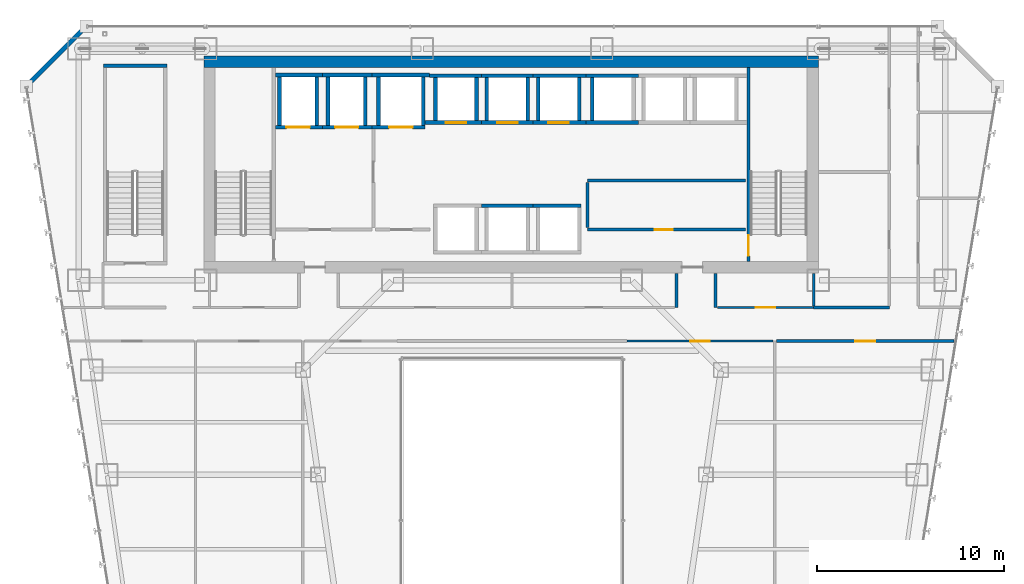
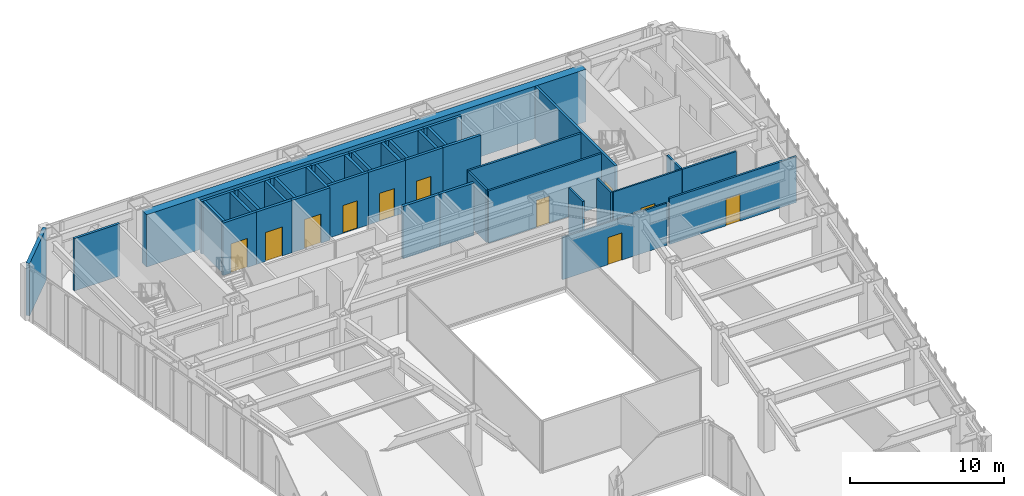
# One storey, part 37 of 47: 43 walls, 11 doors, 11 openings.
"""IFC4 building model written with IfcOpenShell, lengths in metres."""

from ifc_helpers import new_model, si_unit, direction, frame, frame_2d, origin, place, context, subcontext, project, spatial, rectangle, extrude, material, layer, layer_set, type_object, element, fill, save


model = new_model("IFC4")

# Units and contexts
model_context = context("Model", 3, precision=1e-05, world=origin(), true_north=direction((0.0, 1.0)))
body_context = subcontext(model_context, "Body", "Model", "MODEL_VIEW")
ifc_project = project(units=[si_unit("LENGTHUNIT", "METRE"), si_unit("AREAUNIT", "SQUARE_METRE"), si_unit("VOLUMEUNIT", "CUBIC_METRE"), si_unit("PLANEANGLEUNIT", "RADIAN"), si_unit("MASSUNIT", "GRAM", prefix="KILO")], contexts=[model_context])

# Site, building, storey
site_placement = place(None, origin())
site = spatial("IfcSite", under=ifc_project, at=site_placement, CompositionType="ELEMENT")
building_placement = place(site_placement, origin())
building = spatial("IfcBuilding", under=site, at=building_placement, Name="Saevonmaru Cultural Tower", CompositionType="ELEMENT")
storey_placement = place(building_placement, frame((0.0, 0.0, 42.800048828125)))
storey = spatial("IfcBuildingStorey", under=building, at=storey_placement, Name="L08", CompositionType="ELEMENT", Elevation=42.800048828125)

# Wall
ifc_material_1 = material(Name="Concrete C60/75", Category="concrete")
ifc_layer_1 = layer(ifc_material_1, 0.60009765625, Name="Concrete C60/75")
ifc_layer_set_1 = layer_set([ifc_layer_1], Name="Concrete C60/75")
wall_type_1 = type_object("IfcWallType", Name="WL-CORE-600", PredefinedType="SHEAR", material=ifc_layer_set_1)
wall_1_placement = place(storey_placement, frame((13.5, 54.10009765625, 0.0), z_axis=(0.0, 0.0, 1.0), x_axis=(1.0, 0.0, 0.0)))
element("IfcWall", 1, at=wall_1_placement, inside=storey, type_object=wall_type_1, Name="L08 Tower RC core shear wall N", PredefinedType="SHEAR", context=body_context, shape_type="SweptSolid", body=[
    extrude(rectangle(XDim=32.89990234375, YDim=0.60009765625, at=frame_2d((16.449951171875, 0.0))), origin(), (0.0, 0.0, 1.0), 4.14990234375),
])

# Wall, opening, door
ifc_material_2 = material(Name="Gypsum Fireboard Partition", Category="gypsum")
ifc_layer_2 = layer(ifc_material_2, 0.14990234375, Name="Gypsum Fireboard Partition")
ifc_layer_set_2 = layer_set([ifc_layer_2], Name="Gypsum Fireboard Partition")
wall_type_2 = type_object("IfcWallType", Name="WL-CORE-PART-150", PredefinedType="PARTITIONING", material=ifc_layer_set_2)
wall_2_placement = place(storey_placement, frame((34.050048828125, 45.1201171875, 0.0), z_axis=(0.0, 0.0, 1.0), x_axis=(1.0, 0.0, 0.0)))
wall_2 = element("IfcWall", 2, at=wall_2_placement, inside=storey, type_object=wall_type_2, Name="L08 Core Service South Wall", PredefinedType="PARTITIONING", context=body_context, shape_type="SweptSolid", body=[
    extrude(rectangle(XDim=8.449951171875, YDim=0.14990234375, at=frame_2d((4.22509765625, 0.0))), origin(), (0.0, 0.0, 1.0), 4.14990234375),
])
opening_1_placement = place(wall_2_placement, frame((3.60009765625, 0.0, 0.0)))
opening_1 = element("IfcOpeningElement", 3, at=opening_1_placement, cuts=wall_2, Name="Opening FD-4", PredefinedType="OPENING", context=body_context, shape_type="SweptSolid", body=[
    extrude(rectangle(XDim=0.949951171875, YDim=2.14990234375, at=frame_2d((0.47509765625, 1.074951171875))), frame((0.0, 0.0849609375, 0.0), z_axis=(0.0, -1.0, 0.0), x_axis=(1.0, 0.0, 0.0)), (0.0, 0.0, 1.0), 0.169921875),
])
ifc_material_3 = material(Name="Satin Bronze Anodised Aluminium", Category="aluminium")
door_type_1 = type_object("IfcDoorType", Name="DR-FD60-950", OperationType="SINGLE_SWING_LEFT", PredefinedType="DOOR", material=ifc_material_3)
door_1_placement = place(opening_1_placement, origin())
door_1 = element("IfcDoor", 4, at=door_1_placement, inside=storey, type_object=door_type_1, Name="L08 Telecom Riser Plant Door", OperationType="SINGLE_SWING_LEFT", OverallHeight=2.14990234375, OverallWidth=0.949951171875, PredefinedType="DOOR", context=body_context, shape_type="SweptSolid", body=[
    extrude(rectangle(XDim=0.949951171875, YDim=2.14990234375, at=frame_2d((0.47509765625, 1.074951171875))), frame((0.0, 0.02490234375, 0.0), z_axis=(0.0, -1.0, 0.0), x_axis=(1.0, 0.0, 0.0)), (0.0, 0.0, 1.0), 0.050048828125),
])
fill(opening_1, door_1)

# Walls
wall_3_placement = place(storey_placement, frame((34.050048828125, 47.75, 0.0), z_axis=(0.0, 0.0, 1.0), x_axis=(1.0, 0.0, 0.0)))
element("IfcWall", 5, at=wall_3_placement, inside=storey, type_object=wall_type_2, Name="L08 Core Service North Wall", PredefinedType="PARTITIONING", context=body_context, shape_type="SweptSolid", body=[
    extrude(rectangle(XDim=8.449951171875, YDim=0.14990234375, at=frame_2d((4.22509765625, 0.0))), origin(), (0.0, 0.0, 1.0), 4.14990234375),
])
wall_4_placement = place(storey_placement, frame((34.050048828125, 45.219970703125, 0.0), z_axis=(0.0, 0.0, 1.0), x_axis=(0.0, 1.0, 0.0)))
element("IfcWall", 6, at=wall_4_placement, inside=storey, type_object=wall_type_2, Name="L08 Core Service West Wall", PredefinedType="PARTITIONING", context=body_context, shape_type="SweptSolid", body=[
    extrude(rectangle(XDim=2.429931640625, YDim=0.14990234375, at=frame_2d((1.21484375, 0.0))), origin(), (0.0, 0.0, 1.0), 4.14990234375),
])
ifc_material_4 = material(Name="Granite-Clad Precast Concrete C40/50", Category="masonry")
ifc_layer_3 = layer(ifc_material_4, 0.260009765625, Name="Granite-Clad Precast Concrete C40/50")
ifc_layer_set_3 = layer_set([ifc_layer_3], Name="Granite-Clad Precast Concrete C40/50")
wall_type_3 = type_object("IfcWallType", Name="WL-EXT-SPANDREL-260", PredefinedType="STANDARD", material=ifc_layer_set_3)
wall_5_placement = place(storey_placement, frame((7.0869140625, 55.886962890625, 0.0), z_axis=(0.0, 0.0, 1.0), x_axis=(-0.707106781187, -0.707106781187, 0.0)))
element("IfcWall", 7, at=wall_5_placement, inside=storey, type_object=wall_type_3, Name="L08 Chamfer Corner Spandrel Wall E11", PredefinedType="STANDARD", context=body_context, shape_type="SweptSolid", body=[
    extrude(rectangle(XDim=4.205810546875, YDim=0.260009765625, at=frame_2d((2.10302734375, 0.0))), origin(), (0.0, 0.0, 1.0), 4.14990234375),
])
ifc_layer_4 = layer(ifc_material_2, 0.14990234375, Name="Gypsum Fireboard Partition")
ifc_layer_set_4 = layer_set([ifc_layer_4], Name="Gypsum Fireboard Partition")
wall_type_4 = type_object("IfcWallType", Name="WL-PART-FIRE-150", PredefinedType="PARTITIONING", material=ifc_layer_set_4)
for number, where, z_axis, x_axis, name in (
    (8, (38.800048828125, 40.949951171875, 0.0), (0.0, 0.0, 1.0), (0.0, 1.0, 0.0), "L08 Core Portal Side Wall E1"),
    (9, (40.89990234375, 40.949951171875, 0.0), (0.0, 0.0, 1.0), (0.0, 1.0, 0.0), "L08 Core Portal Side Wall E2"),
):
    element("IfcWall", number, at=place(storey_placement, frame(where, z_axis=z_axis, x_axis=x_axis)), inside=storey, type_object=wall_type_4, Name=name, PredefinedType="PARTITIONING", context=body_context, shape_type="SweptSolid", body=[
        extrude(rectangle(XDim=1.830078125, YDim=0.14990234375, at=frame_2d((0.9150390625, 0.0))), origin(), (0.0, 0.0, 1.0), 4.14990234375),
    ])

# Wall, opening, door
wall_6_placement = place(storey_placement, frame((44.157470703125, 39.14990234375, 0.0), z_axis=(0.0, 0.0, 1.0), x_axis=(1.0, 0.0, 0.0)))
wall_6 = element("IfcWall", 10, at=wall_6_placement, inside=storey, type_object=wall_type_4, Name="L08 Special Collections Gallery Corridor Wall", PredefinedType="PARTITIONING", context=body_context, shape_type="SweptSolid", body=[
    extrude(rectangle(XDim=9.508544921875, YDim=0.14990234375, at=frame_2d((4.75439453125, 0.0))), origin(), (0.0, 0.0, 1.0), 3.635009765625),
])
opening_2_placement = place(wall_6_placement, frame((4.22900390625, 0.0, 0.0)))
opening_2 = element("IfcOpeningElement", 11, at=opening_2_placement, cuts=wall_6, Name="Opening ID-1", PredefinedType="OPENING", context=body_context, shape_type="SweptSolid", body=[
    extrude(rectangle(XDim=1.050048828125, YDim=2.14990234375, at=frame_2d((0.52490234375, 1.074951171875))), frame((0.0, 0.0849609375, 0.0), z_axis=(0.0, -1.0, 0.0), x_axis=(1.0, 0.0, 0.0)), (0.0, 0.0, 1.0), 0.169921875),
])
door_type_2 = type_object("IfcDoorType", Name="DR-INT-1050", OperationType="SINGLE_SWING_LEFT", PredefinedType="DOOR", material=ifc_material_3)
door_2_placement = place(opening_2_placement, origin())
door_2 = element("IfcDoor", 12, at=door_2_placement, inside=storey, type_object=door_type_2, Name="L08 Special Collections Gallery Door", OperationType="SINGLE_SWING_LEFT", OverallHeight=2.14990234375, OverallWidth=1.050048828125, PredefinedType="DOOR", context=body_context, shape_type="SweptSolid", body=[
    extrude(rectangle(XDim=1.050048828125, YDim=2.14990234375, at=frame_2d((0.52490234375, 1.074951171875))), frame((0.0, 0.02490234375, 0.0), z_axis=(0.0, -1.0, 0.0), x_axis=(1.0, 0.0, 0.0)), (0.0, 0.0, 1.0), 0.050048828125),
])
fill(opening_2, door_2)

ifc_layer_5 = layer(ifc_material_2, 0.1201171875, Name="Gypsum Fireboard Partition")
ifc_layer_set_5 = layer_set([ifc_layer_5], Name="Gypsum Fireboard Partition")
wall_type_5 = type_object("IfcWallType", Name="WL-PART-GYP-120", PredefinedType="PARTITIONING", material=ifc_layer_set_5)
wall_7_placement = place(storey_placement, frame((40.9951171875, 40.949951171875, 0.0), z_axis=(0.0, 0.0, 1.0), x_axis=(1.0, 0.0, 0.0)))
wall_7 = element("IfcWall", 13, at=wall_7_placement, inside=storey, type_object=wall_type_5, Name="L08 Periodical Reading Room Corridor Wall", PredefinedType="PARTITIONING", context=body_context, shape_type="SweptSolid", body=[
    extrude(rectangle(XDim=5.15478515625, YDim=0.1201171875, at=frame_2d((2.577392578125, 0.0))), origin(), (0.0, 0.0, 1.0), 4.14990234375),
])
opening_3_placement = place(wall_7_placement, frame((2.052978515625, 0.0, 0.0)))
opening_3 = element("IfcOpeningElement", 14, at=opening_3_placement, cuts=wall_7, Name="Opening ID-1", PredefinedType="OPENING", context=body_context, shape_type="SweptSolid", body=[
    extrude(rectangle(XDim=1.050048828125, YDim=2.14990234375, at=frame_2d((0.52490234375, 1.074951171875))), frame((0.0, 0.070068359375, 0.0), z_axis=(0.0, -1.0, 0.0), x_axis=(1.0, 0.0, 0.0)), (0.0, 0.0, 1.0), 0.14013671875),
])
door_3_placement = place(opening_3_placement, origin())
door_3 = element("IfcDoor", 15, at=door_3_placement, inside=storey, type_object=door_type_2, Name="L08 Periodical Reading Room Door", OperationType="SINGLE_SWING_RIGHT", OverallHeight=2.14990234375, OverallWidth=1.050048828125, PredefinedType="DOOR", context=body_context, shape_type="SweptSolid", body=[
    extrude(rectangle(XDim=1.050048828125, YDim=2.14990234375, at=frame_2d((0.52490234375, 1.074951171875))), frame((0.0, 0.02490234375, 0.0), z_axis=(0.0, -1.0, 0.0), x_axis=(1.0, 0.0, 0.0)), (0.0, 0.0, 1.0), 0.050048828125),
])
fill(opening_3, door_3)

wall_8_placement = place(storey_placement, frame((36.14990234375, 39.14990234375, 0.0), z_axis=(0.0, 0.0, 1.0), x_axis=(1.0, 0.0, 0.0)))
wall_8 = element("IfcWall", 16, at=wall_8_placement, inside=storey, type_object=wall_type_5, Name="L08 Periodical Reading Room Corridor Wall", PredefinedType="PARTITIONING", context=body_context, shape_type="SweptSolid", body=[
    extrude(rectangle(XDim=7.83251953125, YDim=0.1201171875, at=frame_2d((3.916259765625, 0.0))), origin(), (0.0, 0.0, 1.0), 3.3349609375),
])
opening_4_placement = place(wall_8_placement, frame((3.39111328125, 0.0, 0.0)))
opening_4 = element("IfcOpeningElement", 17, at=opening_4_placement, cuts=wall_8, Name="Opening ID-1", PredefinedType="OPENING", context=body_context, shape_type="SweptSolid", body=[
    extrude(rectangle(XDim=1.050048828125, YDim=2.14990234375, at=frame_2d((0.52490234375, 1.074951171875))), frame((0.0, 0.070068359375, 0.0), z_axis=(0.0, -1.0, 0.0), x_axis=(1.0, 0.0, 0.0)), (0.0, 0.0, 1.0), 0.14013671875),
])
door_4_placement = place(opening_4_placement, origin())
door_4 = element("IfcDoor", 18, at=door_4_placement, inside=storey, type_object=door_type_2, Name="L08 Periodical Reading Room Door", OperationType="SINGLE_SWING_RIGHT", OverallHeight=2.14990234375, OverallWidth=1.050048828125, PredefinedType="DOOR", context=body_context, shape_type="SweptSolid", body=[
    extrude(rectangle(XDim=1.050048828125, YDim=2.14990234375, at=frame_2d((0.52490234375, 1.074951171875))), frame((0.0, 0.02490234375, 0.0), z_axis=(0.0, -1.0, 0.0), x_axis=(1.0, 0.0, 0.0)), (0.0, 0.0, 1.0), 0.050048828125),
])
fill(opening_4, door_4)

# Walls
ifc_layer_6 = layer(ifc_material_2, 0.139892578125, Name="Gypsum Fireboard Partition")
ifc_layer_set_6 = layer_set([ifc_layer_6], Name="Gypsum Fireboard Partition")
wall_type_6 = type_object("IfcWallType", Name="WL-PART-WET-140", PredefinedType="PARTITIONING", material=ifc_layer_set_6)
wall_9_placement = place(storey_placement, frame((46.14990234375, 40.949951171875, 0.0), z_axis=(0.0, 0.0, 1.0), x_axis=(1.0, 0.0, 0.0)))
element("IfcWall", 19, at=wall_9_placement, inside=storey, type_object=wall_type_6, Name="L08 Washroom South Wall", PredefinedType="PARTITIONING", context=body_context, shape_type="SweptSolid", body=[
    extrude(rectangle(XDim=4.050048828125, YDim=0.139892578125, at=frame_2d((2.02490234375, 0.0))), origin(), (0.0, 0.0, 1.0), 4.14990234375),
])
wall_10_placement = place(storey_placement, frame((46.14990234375, 41.0400390625, 0.0), z_axis=(0.0, 0.0, 1.0), x_axis=(0.0, 1.0, 0.0)))
element("IfcWall", 20, at=wall_10_placement, inside=storey, type_object=wall_type_6, Name="L08 Washroom South-West Return", PredefinedType="PARTITIONING", context=body_context, shape_type="SweptSolid", body=[
    extrude(rectangle(XDim=1.739990234375, YDim=0.139892578125, at=frame_2d((0.8701171875, 0.0))), origin(), (0.0, 0.0, 1.0), 4.14990234375),
])

# Wall, opening, door
ifc_material_5 = material(Name="Concrete C40/50", Category="concrete")
ifc_layer_7 = layer(ifc_material_5, 0.199951171875, Name="Concrete C40/50")
ifc_layer_set_7 = layer_set([ifc_layer_7], Name="Concrete C40/50")
wall_type_7 = type_object("IfcWallType", Name="WL-SHAFT-200", PredefinedType="SHEAR", material=ifc_layer_set_7)
wall_11_placement = place(storey_placement, frame((17.330078125, 50.60009765625, 0.0), z_axis=(0.0, 0.0, 1.0), x_axis=(1.0, 0.0, 0.0)))
wall_11 = element("IfcWall", 21, at=wall_11_placement, inside=storey, type_object=wall_type_7, Name="L08 Lift FFL-1 Hoistway Wall S", PredefinedType="SHEAR", context=body_context, shape_type="SweptSolid", body=[
    extrude(rectangle(XDim=2.52001953125, YDim=0.199951171875, at=frame_2d((1.260009765625, 0.0))), origin(), (0.0, 0.0, 1.0), 4.14990234375),
])
opening_5_placement = place(wall_11_placement, frame((0.594970703125, 0.0, 0.0)))
opening_5 = element("IfcOpeningElement", 22, at=opening_5_placement, cuts=wall_11, Name="Opening LD-2", PredefinedType="OPENING", context=body_context, shape_type="SweptSolid", body=[
    extrude(rectangle(XDim=1.25, YDim=2.300048828125, at=frame_2d((0.625, 1.14990234375))), frame((0.0, 0.10986328125, 0.0), z_axis=(0.0, -1.0, 0.0), x_axis=(1.0, 0.0, 0.0)), (0.0, 0.0, 1.0), 0.219970703125),
])
ifc_material_6 = material(Name="Stainless Steel 316", Category="steel")
door_type_3 = type_object("IfcDoorType", Name="DR-LIFT-1250", OperationType="SLIDING_TO_LEFT", PredefinedType="DOOR", material=ifc_material_6)
door_5_placement = place(opening_5_placement, origin())
door_5 = element("IfcDoor", 23, at=door_5_placement, inside=storey, type_object=door_type_3, Name="L08 Lift FFL-1 Sliding Landing Door", OperationType="SLIDING_TO_LEFT", OverallHeight=2.300048828125, OverallWidth=1.25, PredefinedType="DOOR", context=body_context, shape_type="SweptSolid", body=[
    extrude(rectangle(XDim=1.25, YDim=2.300048828125, at=frame_2d((0.625, 1.14990234375))), frame((0.0, 0.02490234375, 0.0), z_axis=(0.0, -1.0, 0.0), x_axis=(1.0, 0.0, 0.0)), (0.0, 0.0, 1.0), 0.050048828125),
])
fill(opening_5, door_5)

# Walls
wall_12_placement = place(storey_placement, frame((17.330078125, 53.39990234375, 0.0), z_axis=(0.0, 0.0, 1.0), x_axis=(1.0, 0.0, 0.0)))
element("IfcWall", 24, at=wall_12_placement, inside=storey, type_object=wall_type_7, Name="L08 Lift FFL-1 Hoistway Wall N", PredefinedType="SHEAR", context=body_context, shape_type="SweptSolid", body=[
    extrude(rectangle(XDim=2.52001953125, YDim=0.199951171875, at=frame_2d((1.260009765625, 0.0))), origin(), (0.0, 0.0, 1.0), 4.14990234375),
])
for number, where, z_axis, x_axis, name in (
    (25, (17.550048828125, 50.699951171875, 0.0), (0.0, 0.0, 1.0), (0.0, 1.0, 0.0), "L08 Lift FFL-1 Hoistway Wall W"),
    (26, (19.550048828125, 50.699951171875, 0.0), (0.0, 0.0, 1.0), (0.0, 1.0, 0.0), "L08 Lift FFL-1 Hoistway Wall E"),
):
    element("IfcWall", number, at=place(storey_placement, frame(where, z_axis=z_axis, x_axis=x_axis)), inside=storey, type_object=wall_type_7, Name=name, PredefinedType="SHEAR", context=body_context, shape_type="SweptSolid", body=[
        extrude(rectangle(XDim=2.60009765625, YDim=0.199951171875, at=frame_2d((1.300048828125, 0.0))), origin(), (0.0, 0.0, 1.0), 4.14990234375),
    ])

# Wall, opening, door
wall_13_placement = place(storey_placement, frame((19.85009765625, 50.60009765625, 0.0), z_axis=(0.0, 0.0, 1.0), x_axis=(1.0, 0.0, 0.0)))
wall_13 = element("IfcWall", 27, at=wall_13_placement, inside=storey, type_object=wall_type_7, Name="L08 Lift FFL-2 Hoistway Wall S", PredefinedType="SHEAR", context=body_context, shape_type="SweptSolid", body=[
    extrude(rectangle(XDim=2.64990234375, YDim=0.199951171875, at=frame_2d((1.324951171875, 0.0))), origin(), (0.0, 0.0, 1.0), 4.14990234375),
])
opening_6_placement = place(wall_13_placement, frame((0.675048828125, 0.0, 0.0)))
opening_6 = element("IfcOpeningElement", 28, at=opening_6_placement, cuts=wall_13, Name="Opening LD-2", PredefinedType="OPENING", context=body_context, shape_type="SweptSolid", body=[
    extrude(rectangle(XDim=1.25, YDim=2.300048828125, at=frame_2d((0.625, 1.14990234375))), frame((0.0, 0.10986328125, 0.0), z_axis=(0.0, -1.0, 0.0), x_axis=(1.0, 0.0, 0.0)), (0.0, 0.0, 1.0), 0.219970703125),
])
door_6_placement = place(opening_6_placement, origin())
door_6 = element("IfcDoor", 29, at=door_6_placement, inside=storey, type_object=door_type_3, Name="L08 Lift FFL-2 Sliding Landing Door", OperationType="SLIDING_TO_LEFT", OverallHeight=2.300048828125, OverallWidth=1.25, PredefinedType="DOOR", context=body_context, shape_type="SweptSolid", body=[
    extrude(rectangle(XDim=1.25, YDim=2.300048828125, at=frame_2d((0.625, 1.14990234375))), frame((0.0, 0.02490234375, 0.0), z_axis=(0.0, -1.0, 0.0), x_axis=(1.0, 0.0, 0.0)), (0.0, 0.0, 1.0), 0.050048828125),
])
fill(opening_6, door_6)

# Walls
wall_14_placement = place(storey_placement, frame((19.85009765625, 53.39990234375, 0.0), z_axis=(0.0, 0.0, 1.0), x_axis=(1.0, 0.0, 0.0)))
element("IfcWall", 30, at=wall_14_placement, inside=storey, type_object=wall_type_7, Name="L08 Lift FFL-2 Hoistway Wall N", PredefinedType="SHEAR", context=body_context, shape_type="SweptSolid", body=[
    extrude(rectangle(XDim=2.64990234375, YDim=0.199951171875, at=frame_2d((1.324951171875, 0.0))), origin(), (0.0, 0.0, 1.0), 4.14990234375),
])
for number, where, z_axis, x_axis, name in (
    (31, (20.14990234375, 50.699951171875, 0.0), (0.0, 0.0, 1.0), (0.0, 1.0, 0.0), "L08 Lift FFL-2 Hoistway Wall W"),
    (32, (22.14990234375, 50.699951171875, 0.0), (0.0, 0.0, 1.0), (0.0, 1.0, 0.0), "L08 Lift FFL-2 Hoistway Wall E"),
):
    element("IfcWall", number, at=place(storey_placement, frame(where, z_axis=z_axis, x_axis=x_axis)), inside=storey, type_object=wall_type_7, Name=name, PredefinedType="SHEAR", context=body_context, shape_type="SweptSolid", body=[
        extrude(rectangle(XDim=2.60009765625, YDim=0.199951171875, at=frame_2d((1.300048828125, 0.0))), origin(), (0.0, 0.0, 1.0), 4.14990234375),
    ])

# Wall, opening, door
wall_15_placement = place(storey_placement, frame((22.5, 50.60009765625, 0.0), z_axis=(0.0, 0.0, 1.0), x_axis=(1.0, 0.0, 0.0)))
wall_15 = element("IfcWall", 33, at=wall_15_placement, inside=storey, type_object=wall_type_7, Name="L08 Lift GL-1 Hoistway Wall S", PredefinedType="SHEAR", context=body_context, shape_type="SweptSolid", body=[
    extrude(rectangle(XDim=2.85009765625, YDim=0.199951171875, at=frame_2d((1.425048828125, 0.0))), origin(), (0.0, 0.0, 1.0), 4.14990234375),
])
opening_7_placement = place(wall_15_placement, frame((0.925048828125, 0.0, 0.0)))
opening_7 = element("IfcOpeningElement", 34, at=opening_7_placement, cuts=wall_15, Name="Opening LD-2", PredefinedType="OPENING", context=body_context, shape_type="SweptSolid", body=[
    extrude(rectangle(XDim=1.25, YDim=2.300048828125, at=frame_2d((0.625, 1.14990234375))), frame((0.0, 0.10986328125, 0.0), z_axis=(0.0, -1.0, 0.0), x_axis=(1.0, 0.0, 0.0)), (0.0, 0.0, 1.0), 0.219970703125),
])
door_7_placement = place(opening_7_placement, origin())
door_7 = element("IfcDoor", 35, at=door_7_placement, inside=storey, type_object=door_type_3, Name="L08 Lift GL-1 Sliding Landing Door", OperationType="SLIDING_TO_LEFT", OverallHeight=2.300048828125, OverallWidth=1.25, PredefinedType="DOOR", context=body_context, shape_type="SweptSolid", body=[
    extrude(rectangle(XDim=1.25, YDim=2.300048828125, at=frame_2d((0.625, 1.14990234375))), frame((0.0, 0.02490234375, 0.0), z_axis=(0.0, -1.0, 0.0), x_axis=(1.0, 0.0, 0.0)), (0.0, 0.0, 1.0), 0.050048828125),
])
fill(opening_7, door_7)

# Walls
wall_16_placement = place(storey_placement, frame((22.5, 53.39990234375, 0.0), z_axis=(0.0, 0.0, 1.0), x_axis=(1.0, 0.0, 0.0)))
element("IfcWall", 36, at=wall_16_placement, inside=storey, type_object=wall_type_7, Name="L08 Lift GL-1 Hoistway Wall N", PredefinedType="SHEAR", context=body_context, shape_type="SweptSolid", body=[
    extrude(rectangle(XDim=3.074951171875, YDim=0.199951171875, at=frame_2d((1.53759765625, 0.0))), origin(), (0.0, 0.0, 1.0), 4.14990234375),
])
for number, where, z_axis, x_axis, name in (
    (37, (22.85009765625, 50.699951171875, 0.0), (0.0, 0.0, 1.0), (0.0, 1.0, 0.0), "L08 Lift GL-1 Hoistway Wall W"),
    (38, (25.25, 50.699951171875, 0.0), (0.0, 0.0, 1.0), (0.0, 1.0, 0.0), "L08 Lift GL-1 Hoistway Wall E"),
):
    element("IfcWall", number, at=place(storey_placement, frame(where, z_axis=z_axis, x_axis=x_axis)), inside=storey, type_object=wall_type_7, Name=name, PredefinedType="SHEAR", context=body_context, shape_type="SweptSolid", body=[
        extrude(rectangle(XDim=2.60009765625, YDim=0.199951171875, at=frame_2d((1.300048828125, 0.0))), origin(), (0.0, 0.0, 1.0), 4.14990234375),
    ])

# Wall, opening, door
wall_17_placement = place(storey_placement, frame((25.35009765625, 50.85009765625, 0.0), z_axis=(0.0, 0.0, 1.0), x_axis=(1.0, 0.0, 0.0)))
wall_17 = element("IfcWall", 39, at=wall_17_placement, inside=storey, type_object=wall_type_7, Name="L08 Lift PL-L1 Hoistway Wall S", PredefinedType="SHEAR", context=body_context, shape_type="SweptSolid", body=[
    extrude(rectangle(XDim=3.02490234375, YDim=0.199951171875, at=frame_2d((1.512451171875, 0.0))), origin(), (0.0, 0.0, 1.0), 4.14990234375),
])
opening_8_placement = place(wall_17_placement, frame((1.10009765625, 0.0, 0.0)))
opening_8 = element("IfcOpeningElement", 40, at=opening_8_placement, cuts=wall_17, Name="Opening LD-1", PredefinedType="OPENING", context=body_context, shape_type="SweptSolid", body=[
    extrude(rectangle(XDim=1.10009765625, YDim=2.199951171875, at=frame_2d((0.550048828125, 1.10009765625))), frame((0.0, 0.10986328125, 0.0), z_axis=(0.0, -1.0, 0.0), x_axis=(1.0, 0.0, 0.0)), (0.0, 0.0, 1.0), 0.219970703125),
])
ifc_material_7 = material(Name="Satin Bronze Stainless Steel", Category="steel")
door_type_4 = type_object("IfcDoorType", Name="DR-LIFT-1100", OperationType="SLIDING_TO_LEFT", PredefinedType="DOOR", material=ifc_material_7)
door_8_placement = place(opening_8_placement, origin())
door_8 = element("IfcDoor", 41, at=door_8_placement, inside=storey, type_object=door_type_4, Name="L08 Lift PL-L1 Sliding Landing Door", OperationType="SLIDING_TO_LEFT", OverallHeight=2.199951171875, OverallWidth=1.10009765625, PredefinedType="DOOR", context=body_context, shape_type="SweptSolid", body=[
    extrude(rectangle(XDim=1.10009765625, YDim=2.199951171875, at=frame_2d((0.550048828125, 1.10009765625))), frame((0.0, 0.02490234375, 0.0), z_axis=(0.0, -1.0, 0.0), x_axis=(1.0, 0.0, 0.0)), (0.0, 0.0, 1.0), 0.050048828125),
])
fill(opening_8, door_8)

# Walls
wall_18_placement = place(storey_placement, frame((25.574951171875, 53.35009765625, 0.0), z_axis=(0.0, 0.0, 1.0), x_axis=(1.0, 0.0, 0.0)))
element("IfcWall", 42, at=wall_18_placement, inside=storey, type_object=wall_type_7, Name="L08 Lift PL-L1 Hoistway Wall N", PredefinedType="SHEAR", context=body_context, shape_type="SweptSolid", body=[
    extrude(rectangle(XDim=2.800048828125, YDim=0.199951171875, at=frame_2d((1.39990234375, 0.0))), origin(), (0.0, 0.0, 1.0), 4.14990234375),
])
for number, where, z_axis, x_axis, name in (
    (43, (25.89990234375, 50.949951171875, 0.0), (0.0, 0.0, 1.0), (0.0, 1.0, 0.0), "L08 Lift PL-L1 Hoistway Wall W"),
    (44, (28.10009765625, 50.949951171875, 0.0), (0.0, 0.0, 1.0), (0.0, 1.0, 0.0), "L08 Lift PL-L1 Hoistway Wall E"),
):
    element("IfcWall", number, at=place(storey_placement, frame(where, z_axis=z_axis, x_axis=x_axis)), inside=storey, type_object=wall_type_7, Name=name, PredefinedType="SHEAR", context=body_context, shape_type="SweptSolid", body=[
        extrude(rectangle(XDim=2.300048828125, YDim=0.199951171875, at=frame_2d((1.14990234375, 0.0))), origin(), (0.0, 0.0, 1.0), 4.14990234375),
    ])

# Wall, opening, door
wall_19_placement = place(storey_placement, frame((28.375, 50.85009765625, 0.0), z_axis=(0.0, 0.0, 1.0), x_axis=(1.0, 0.0, 0.0)))
wall_19 = element("IfcWall", 45, at=wall_19_placement, inside=storey, type_object=wall_type_7, Name="L08 Lift PL-L2 Hoistway Wall S", PredefinedType="SHEAR", context=body_context, shape_type="SweptSolid", body=[
    extrude(rectangle(XDim=2.75, YDim=0.199951171875, at=frame_2d((1.375, 0.0))), origin(), (0.0, 0.0, 1.0), 4.14990234375),
])
opening_9_placement = place(wall_19_placement, frame((0.824951171875, 0.0, 0.0)))
opening_9 = element("IfcOpeningElement", 46, at=opening_9_placement, cuts=wall_19, Name="Opening LD-1", PredefinedType="OPENING", context=body_context, shape_type="SweptSolid", body=[
    extrude(rectangle(XDim=1.10009765625, YDim=2.199951171875, at=frame_2d((0.550048828125, 1.10009765625))), frame((0.0, 0.10986328125, 0.0), z_axis=(0.0, -1.0, 0.0), x_axis=(1.0, 0.0, 0.0)), (0.0, 0.0, 1.0), 0.219970703125),
])
door_9_placement = place(opening_9_placement, origin())
door_9 = element("IfcDoor", 47, at=door_9_placement, inside=storey, type_object=door_type_4, Name="L08 Lift PL-L2 Sliding Landing Door", OperationType="SLIDING_TO_LEFT", OverallHeight=2.199951171875, OverallWidth=1.10009765625, PredefinedType="DOOR", context=body_context, shape_type="SweptSolid", body=[
    extrude(rectangle(XDim=1.10009765625, YDim=2.199951171875, at=frame_2d((0.550048828125, 1.10009765625))), frame((0.0, 0.02490234375, 0.0), z_axis=(0.0, -1.0, 0.0), x_axis=(1.0, 0.0, 0.0)), (0.0, 0.0, 1.0), 0.050048828125),
])
fill(opening_9, door_9)

# Walls
wall_20_placement = place(storey_placement, frame((28.375, 53.35009765625, 0.0), z_axis=(0.0, 0.0, 1.0), x_axis=(1.0, 0.0, 0.0)))
element("IfcWall", 48, at=wall_20_placement, inside=storey, type_object=wall_type_7, Name="L08 Lift PL-L2 Hoistway Wall N", PredefinedType="SHEAR", context=body_context, shape_type="SweptSolid", body=[
    extrude(rectangle(XDim=2.75, YDim=0.199951171875, at=frame_2d((1.375, 0.0))), origin(), (0.0, 0.0, 1.0), 4.14990234375),
])
for number, where, z_axis, x_axis, name in (
    (49, (28.64990234375, 50.949951171875, 0.0), (0.0, 0.0, 1.0), (0.0, 1.0, 0.0), "L08 Lift PL-L2 Hoistway Wall W"),
    (50, (30.85009765625, 50.949951171875, 0.0), (0.0, 0.0, 1.0), (0.0, 1.0, 0.0), "L08 Lift PL-L2 Hoistway Wall E"),
):
    element("IfcWall", number, at=place(storey_placement, frame(where, z_axis=z_axis, x_axis=x_axis)), inside=storey, type_object=wall_type_7, Name=name, PredefinedType="SHEAR", context=body_context, shape_type="SweptSolid", body=[
        extrude(rectangle(XDim=2.300048828125, YDim=0.199951171875, at=frame_2d((1.14990234375, 0.0))), origin(), (0.0, 0.0, 1.0), 4.14990234375),
    ])

# Wall, opening, door
wall_21_placement = place(storey_placement, frame((31.125, 50.85009765625, 0.0), z_axis=(0.0, 0.0, 1.0), x_axis=(1.0, 0.0, 0.0)))
wall_21 = element("IfcWall", 51, at=wall_21_placement, inside=storey, type_object=wall_type_7, Name="L08 Lift PL-L3 Hoistway Wall S", PredefinedType="SHEAR", context=body_context, shape_type="SweptSolid", body=[
    extrude(rectangle(XDim=2.824951171875, YDim=0.199951171875, at=frame_2d((1.41259765625, 0.0))), origin(), (0.0, 0.0, 1.0), 4.14990234375),
])
opening_10_placement = place(wall_21_placement, frame((0.824951171875, 0.0, 0.0)))
opening_10 = element("IfcOpeningElement", 52, at=opening_10_placement, cuts=wall_21, Name="Opening LD-1", PredefinedType="OPENING", context=body_context, shape_type="SweptSolid", body=[
    extrude(rectangle(XDim=1.10009765625, YDim=2.199951171875, at=frame_2d((0.550048828125, 1.10009765625))), frame((0.0, 0.10986328125, 0.0), z_axis=(0.0, -1.0, 0.0), x_axis=(1.0, 0.0, 0.0)), (0.0, 0.0, 1.0), 0.219970703125),
])
door_10_placement = place(opening_10_placement, origin())
door_10 = element("IfcDoor", 53, at=door_10_placement, inside=storey, type_object=door_type_4, Name="L08 Lift PL-L3 Sliding Landing Door", OperationType="SLIDING_TO_LEFT", OverallHeight=2.199951171875, OverallWidth=1.10009765625, PredefinedType="DOOR", context=body_context, shape_type="SweptSolid", body=[
    extrude(rectangle(XDim=1.10009765625, YDim=2.199951171875, at=frame_2d((0.550048828125, 1.10009765625))), frame((0.0, 0.02490234375, 0.0), z_axis=(0.0, -1.0, 0.0), x_axis=(1.0, 0.0, 0.0)), (0.0, 0.0, 1.0), 0.050048828125),
])
fill(opening_10, door_10)

# Walls
wall_22_placement = place(storey_placement, frame((31.125, 53.35009765625, 0.0), z_axis=(0.0, 0.0, 1.0), x_axis=(1.0, 0.0, 0.0)))
element("IfcWall", 54, at=wall_22_placement, inside=storey, type_object=wall_type_7, Name="L08 Lift PL-L3 Hoistway Wall N", PredefinedType="SHEAR", context=body_context, shape_type="SweptSolid", body=[
    extrude(rectangle(XDim=2.824951171875, YDim=0.199951171875, at=frame_2d((1.41259765625, 0.0))), origin(), (0.0, 0.0, 1.0), 4.14990234375),
])
for number, where, z_axis, x_axis, name in (
    (55, (31.39990234375, 50.949951171875, 0.0), (0.0, 0.0, 1.0), (0.0, 1.0, 0.0), "L08 Lift PL-L3 Hoistway Wall W"),
    (56, (33.60009765625, 50.949951171875, 0.0), (0.0, 0.0, 1.0), (0.0, 1.0, 0.0), "L08 Lift PL-L3 Hoistway Wall E"),
):
    element("IfcWall", number, at=place(storey_placement, frame(where, z_axis=z_axis, x_axis=x_axis)), inside=storey, type_object=wall_type_7, Name=name, PredefinedType="SHEAR", context=body_context, shape_type="SweptSolid", body=[
        extrude(rectangle(XDim=2.300048828125, YDim=0.199951171875, at=frame_2d((1.14990234375, 0.0))), origin(), (0.0, 0.0, 1.0), 4.14990234375),
    ])
wall_23_placement = place(storey_placement, frame((28.375, 46.39990234375, 0.0), z_axis=(0.0, 0.0, 1.0), x_axis=(1.0, 0.0, 0.0)))
element("IfcWall", 57, at=wall_23_placement, inside=storey, type_object=wall_type_7, Name="L08 Lift PL-M2 Hoistway Wall N", PredefinedType="SHEAR", context=body_context, shape_type="SweptSolid", body=[
    extrude(rectangle(XDim=2.75, YDim=0.199951171875, at=frame_2d((1.375, 0.0))), origin(), (0.0, 0.0, 1.0), 4.14990234375),
])
wall_24_placement = place(storey_placement, frame((31.125, 46.39990234375, 0.0), z_axis=(0.0, 0.0, 1.0), x_axis=(1.0, 0.0, 0.0)))
element("IfcWall", 58, at=wall_24_placement, inside=storey, type_object=wall_type_7, Name="L08 Lift PL-M3 Hoistway Wall N", PredefinedType="SHEAR", context=body_context, shape_type="SweptSolid", body=[
    extrude(rectangle(XDim=2.574951171875, YDim=0.199951171875, at=frame_2d((1.28759765625, 0.0))), origin(), (0.0, 0.0, 1.0), 4.14990234375),
])
for number, where, z_axis, x_axis, name in (
    (59, (33.949951171875, 50.85009765625, 0.0), (0.0, 0.0, 1.0), (1.0, 0.0, 0.0), "L08 Lift PL-H1 Hoistway Wall S"),
    (60, (33.949951171875, 53.35009765625, 0.0), (0.0, 0.0, 1.0), (1.0, 0.0, 0.0), "L08 Lift PL-H1 Hoistway Wall N"),
):
    element("IfcWall", number, at=place(storey_placement, frame(where, z_axis=z_axis, x_axis=x_axis)), inside=storey, type_object=wall_type_7, Name=name, PredefinedType="SHEAR", context=body_context, shape_type="SweptSolid", body=[
        extrude(rectangle(XDim=2.824951171875, YDim=0.199951171875, at=frame_2d((1.41259765625, 0.0))), origin(), (0.0, 0.0, 1.0), 4.14990234375),
    ])
wall_25_placement = place(storey_placement, frame((34.300048828125, 50.949951171875, 0.0), z_axis=(0.0, 0.0, 1.0), x_axis=(0.0, 1.0, 0.0)))
element("IfcWall", 61, at=wall_25_placement, inside=storey, type_object=wall_type_7, Name="L08 Lift PL-H1 Hoistway Wall W", PredefinedType="SHEAR", context=body_context, shape_type="SweptSolid", body=[
    extrude(rectangle(XDim=2.300048828125, YDim=0.199951171875, at=frame_2d((1.14990234375, 0.0))), origin(), (0.0, 0.0, 1.0), 4.14990234375),
])

# Wall, opening, door
ifc_layer_8 = layer(ifc_material_5, 0.179931640625, Name="Concrete C40/50")
ifc_layer_set_8 = layer_set([ifc_layer_8], Name="Concrete C40/50")
wall_type_8 = type_object("IfcWallType", Name="WL-STSHAFT-180", PredefinedType="SHEAR", material=ifc_layer_set_8)
wall_26_placement = place(storey_placement, frame((42.659912109375, 53.800048828125, 0.0), z_axis=(0.0, 0.0, 1.0), x_axis=(0.0, -1.0, 0.0)))
wall_26 = element("IfcWall", 62, at=wall_26_placement, inside=storey, type_object=wall_type_8, Name="L08 Stair ST-2 Structural Shaft Wall 1", PredefinedType="SHEAR", context=body_context, shape_type="SweptSolid", body=[
    extrude(rectangle(XDim=10.400146484375, YDim=0.179931640625, at=frame_2d((5.2001953125, 0.0))), origin(), (0.0, 0.0, 1.0), 4.14990234375),
])
opening_11_placement = place(wall_26_placement, frame((8.989990234375, 0.0, 0.0)))
opening_11 = element("IfcOpeningElement", 63, at=opening_11_placement, cuts=wall_26, Name="Opening FD-2", PredefinedType="OPENING", context=body_context, shape_type="SweptSolid", body=[
    extrude(rectangle(XDim=1.10009765625, YDim=2.14990234375, at=frame_2d((0.550048828125, 1.074951171875))), frame((0.0, 0.10009765625, 0.0), z_axis=(0.0, -1.0, 0.0), x_axis=(1.0, 0.0, 0.0)), (0.0, 0.0, 1.0), 0.199951171875),
])
door_type_5 = type_object("IfcDoorType", Name="DR-FD60-1100", OperationType="SINGLE_SWING_LEFT", PredefinedType="DOOR", material=ifc_material_3)
door_11_placement = place(opening_11_placement, origin())
door_11 = element("IfcDoor", 64, at=door_11_placement, inside=storey, type_object=door_type_5, Name="L08 Protected Stair ST-2 Fire Door", OperationType="SINGLE_SWING_LEFT", OverallHeight=2.14990234375, OverallWidth=1.10009765625, PredefinedType="DOOR", context=body_context, shape_type="SweptSolid", body=[
    extrude(rectangle(XDim=1.10009765625, YDim=2.14990234375, at=frame_2d((0.550048828125, 1.074951171875))), frame((0.0, 0.02490234375, 0.0), z_axis=(0.0, -1.0, 0.0), x_axis=(1.0, 0.0, 0.0)), (0.0, 0.0, 1.0), 0.050048828125),
])
fill(opening_11, door_11)

# Wall
wall_27_placement = place(storey_placement, frame((11.530029296875, 53.889892578125, 0.0), z_axis=(0.0, 0.0, 1.0), x_axis=(-1.0, 0.0, 0.0)))
element("IfcWall", 65, at=wall_27_placement, inside=storey, type_object=wall_type_8, Name="L08 Stair ST-3 Structural Shaft Wall 3", PredefinedType="SHEAR", context=body_context, shape_type="SweptSolid", body=[
    extrude(rectangle(XDim=3.409912109375, YDim=0.179931640625, at=frame_2d((1.705078125, 0.0))), origin(), (0.0, 0.0, 1.0), 4.14990234375),
])

save(model, "model.ifc")
